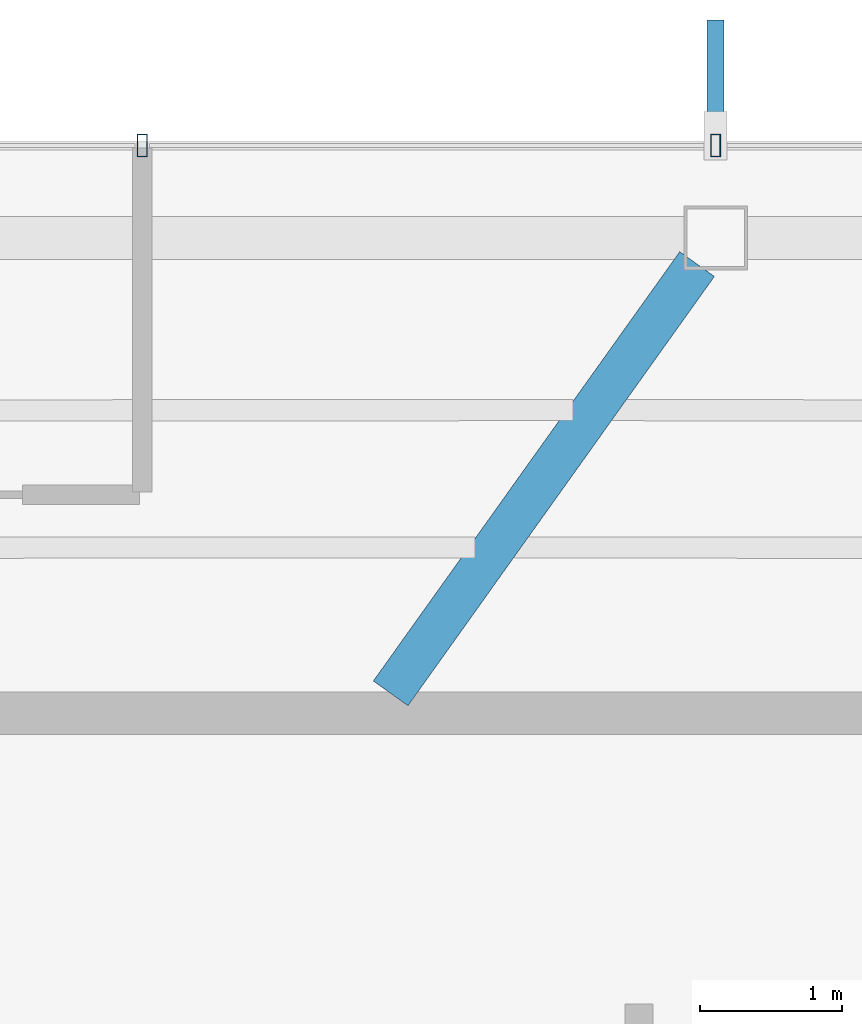
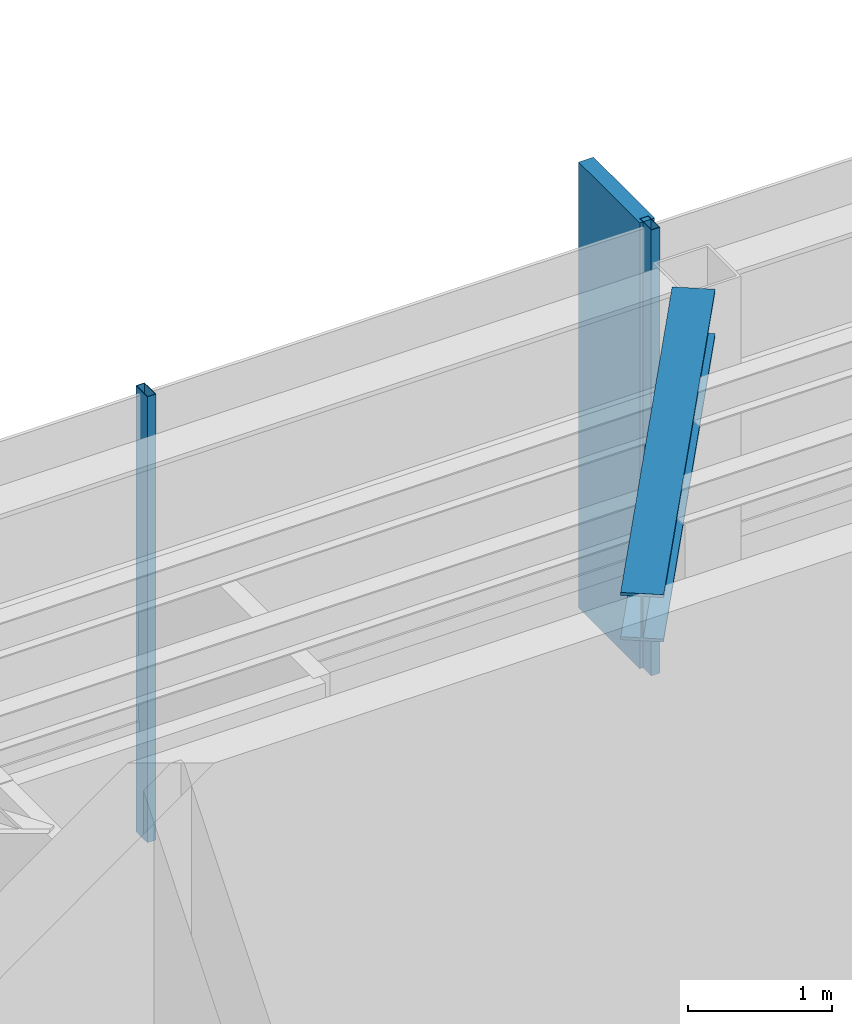
# One storey, part 11 of 21: 3 members, 1 beam, 1 element without a shape of its own.
"""IFC4 building model written with IfcOpenShell, lengths in metres."""

from ifc_helpers import new_model, si_unit, direction, frame, origin, origin_2d, place, context, subcontext, project, spatial, rectangle, hollow_rectangle, i_section, extrude, material, layer, layer_set, material_profile, profile_set, type_object, element, aggregate, save


model = new_model("IFC4")

# Units and contexts
model_context = context("Model", 3, precision=1e-05, world=origin(), true_north=direction((0.0, 1.0)))
body_context = subcontext(model_context, "Body", "Model", "MODEL_VIEW")
ifc_project = project(units=[si_unit("LENGTHUNIT", "METRE"), si_unit("AREAUNIT", "SQUARE_METRE"), si_unit("VOLUMEUNIT", "CUBIC_METRE"), si_unit("PLANEANGLEUNIT", "RADIAN"), si_unit("MASSUNIT", "GRAM", prefix="KILO")], contexts=[model_context])

# Site, building, storey
site_placement = place(None, origin())
site = spatial("IfcSite", under=ifc_project, at=site_placement, CompositionType="ELEMENT")
building_placement = place(site_placement, origin())
building = spatial("IfcBuilding", under=site, at=building_placement, Name="Zarrinselat Tower", CompositionType="ELEMENT")
storey_placement = place(building_placement, frame((0.0, 0.0, 299.199951171875)))
storey = spatial("IfcBuildingStorey", under=building, at=storey_placement, Name="L77", CompositionType="ELEMENT", Elevation=299.199951171875)

# Beam
ifc_material_1 = material(Name="Steel S355J2", Category="steel")
ifc_material_profile_1 = material_profile(ifc_material_1, i_section(OverallWidth=0.300048828125, OverallDepth=0.39990234375, WebThickness=0.013427734375, FlangeThickness=0.02392578125, at=origin_2d()), Name="HEB 400")
ifc_profile_set_1 = profile_set([ifc_material_profile_1], Name="Steel S355J2")
beam_type = type_object("IfcBeamType", Name="BM-HEB400", PredefinedType="BEAM", material=ifc_profile_set_1)
beam_placement = place(storey_placement, frame((35.800048828125, 43.5400390625, 3.580078125), z_axis=(0.580989626288, 0.81391096205, 0.0), x_axis=(-0.81391096205, 0.580989626288, 0.0)))
element("IfcBeam", 1, at=beam_placement, inside=storey, type_object=beam_type, Name="L77 Radial Primary Girder RG03", PredefinedType="BEAM", context=body_context, shape_type="SweptSolid", body=[
    extrude(i_section(OverallWidth=0.300048828125, OverallDepth=0.39990234375, WebThickness=0.013427734375, FlangeThickness=0.02392578125, at=origin_2d()), origin(), (0.0, 0.0, 1.0), 3.716796875),
])

# Curtain wall, members
ifc_material_2 = material(Name="Extruded Aluminium Alloy EN AW-6063 T6", Category="aluminium")
ifc_layer = layer(ifc_material_2, 0.169921875)
ifc_layer_set = layer_set([ifc_layer], Name="Extruded Aluminium Alloy EN AW-6063 T6")
curtain_wall_type = type_object("IfcCurtainWallType", Name="CWS-RES", PredefinedType="NOTDEFINED", material=ifc_layer_set)
curtain_wall_placement = place(storey_placement, origin())
curtain_wall = element("IfcCurtainWall", 2, at=curtain_wall_placement, inside=storey, type_object=curtain_wall_type, Name="L77 Unitised Curtain Wall CW-L77-E01", PredefinedType="NOTDEFINED")
ifc_material_3 = material(Name="Extruded Aluminium Alloy EN AW-6063 T6", Category="aluminium")
ifc_material_profile_2 = material_profile(ifc_material_3, hollow_rectangle(XDim=0.070068359375, YDim=0.159912109375, WallThickness=0.00390625, at=origin_2d()), Name="RHS 160x70x4")
ifc_profile_set_2 = profile_set([ifc_material_profile_2], Name="Extruded Aluminium Alloy EN AW-6063 T6")
member_type_1 = type_object("IfcMemberType", Name="MEM-CW-MUL2", PredefinedType="MULLION", material=ifc_profile_set_2)
member_1_placement = place(storey_placement, frame((38.089599609375, 47.39990234375, 0.0), z_axis=(0.0, 0.0, 1.0), x_axis=(-1.0, 0.0, 0.0)))
member_1 = element("IfcMember", 3, at=member_1_placement, type_object=member_type_1, Name="CW-L77-E01 Mullion 7", PredefinedType="MULLION", context=body_context, shape_type="SweptSolid", body=[
    extrude(hollow_rectangle(XDim=0.070068359375, YDim=0.159912109375, WallThickness=0.00390625, at=origin_2d()), origin(), (0.0, 0.0, 1.0), 3.780029296875),
])
member_2_placement = place(storey_placement, frame((34.050048828125, 47.39990234375, 0.0), z_axis=(0.0, 0.0, 1.0), x_axis=(-1.0, 0.0, 0.0)))
member_2 = element("IfcMember", 4, at=member_2_placement, type_object=member_type_1, Name="CW-L77-E01 Mullion 8", PredefinedType="MULLION", context=body_context, shape_type="SweptSolid", body=[
    extrude(hollow_rectangle(XDim=0.070068359375, YDim=0.159912109375, WallThickness=0.00390625, at=origin_2d()), origin(), (0.0, 0.0, 1.0), 3.780029296875),
])
ifc_material_4 = material(Name="Honed Cream Travertine Stone", Category="masonry")
ifc_material_profile_3 = material_profile(ifc_material_4, rectangle(XDim=0.1201171875, YDim=0.85009765625, at=origin_2d()), Name="FIN 850x120")
ifc_profile_set_3 = profile_set([ifc_material_profile_3], Name="Honed Cream Travertine Stone")
member_type_2 = type_object("IfcMemberType", Name="MEM-STONE-FIN", PredefinedType="USERDEFINED", material=ifc_profile_set_3)
member_3_placement = place(storey_placement, frame((38.089599609375, 47.860107421875, 0.0), z_axis=(0.0, 0.0, 1.0), x_axis=(1.0, 0.0, 0.0)))
member_3 = element("IfcMember", 5, at=member_3_placement, type_object=member_type_2, Name="L77 Stone Shading Fin CW-L77-E01-07", ObjectType="FIN", PredefinedType="USERDEFINED", context=body_context, shape_type="SweptSolid", body=[
    extrude(rectangle(XDim=0.1201171875, YDim=0.85009765625, at=origin_2d()), origin(), (0.0, 0.0, 1.0), 3.780029296875),
])
aggregate(curtain_wall, [member_1, member_3, member_2])

save(model, "model.ifc")
